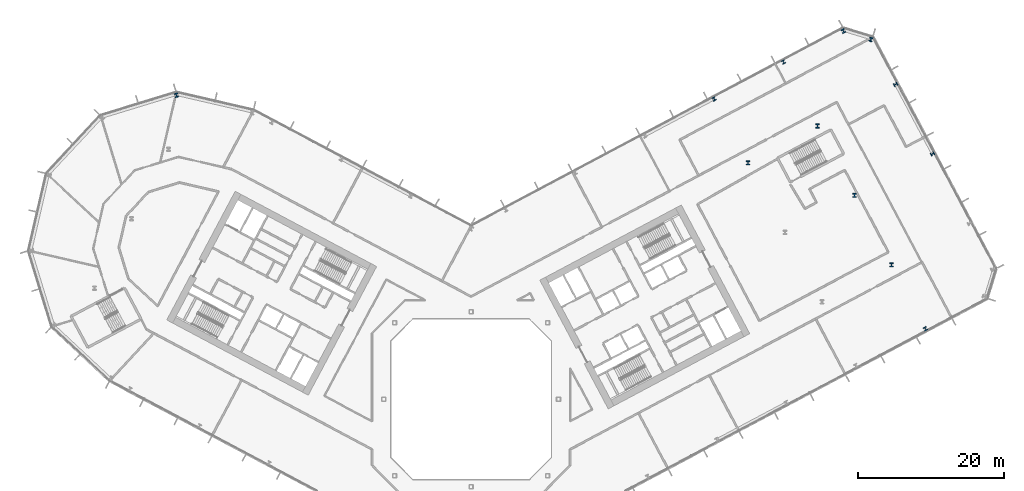
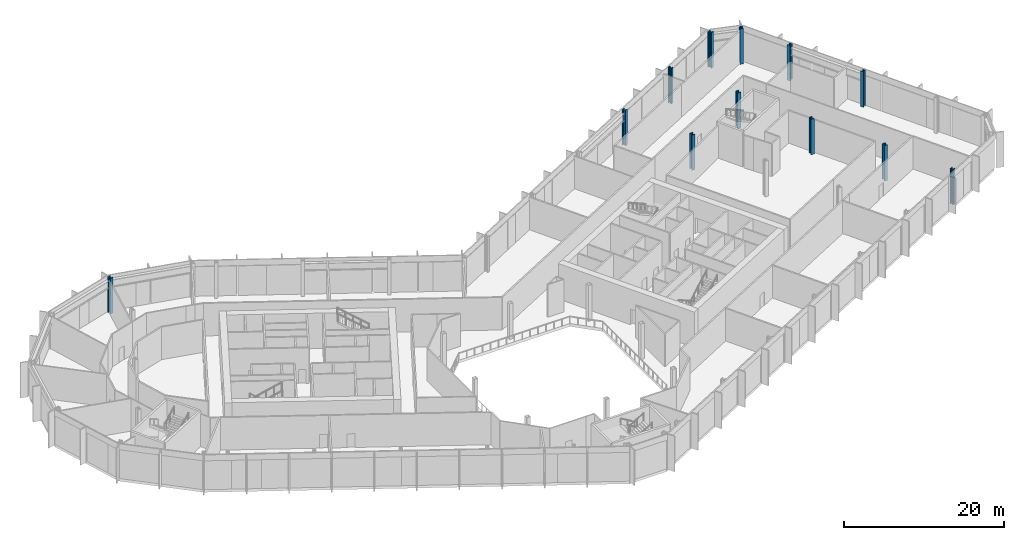
# One storey, part 4 of 30: 12 columns.
"""IFC4 building model written with IfcOpenShell, lengths in metres."""

import ifcopenshell
import ifcopenshell.guid

model = None  # the IFC model being written
_history = None  # IfcOwnerHistory: only IFC2X3 demands one
_inside = {}  # id of a spatial element -> (the spatial element, [elements in it])
_under = {}  # id of a project, library or spatial element -> (it, [spatial elements below it])
_declared = {}  # id of a project -> (the project, [libraries it declares])
_typed = {}  # id of a type object -> (the type object, [elements of that type])
_made_of = {}  # id of a material, layer set ... -> (it, [elements and type objects made of it])


def new_model(schema):
    """Start an empty IFC model of exactly this schema.

    Asked for "IFC4X3", IfcOpenShell would pick the latest addendum, in which some entities
    have other attributes; the version numbers below select the first issue.
    IFC2X3 requires an IfcOwnerHistory on every rooted entity: one is made here for all.
    """
    global model, _history
    if schema == "IFC4X3":
        model = ifcopenshell.file(schema_version=(4, 3, 0, 0))
    else:
        model = ifcopenshell.file(schema=schema)
    _inside.clear()
    _under.clear()
    _declared.clear()
    _typed.clear()
    _made_of.clear()
    _history = None
    if model.schema == "IFC2X3":
        org = make("IfcOrganization", Name="unknown")
        user = make(
            "IfcPersonAndOrganization",
            ThePerson=make("IfcPerson", FamilyName="unknown"),
            TheOrganization=org,
        )
        app = make(
            "IfcApplication",
            ApplicationDeveloper=org,
            Version="unknown",
            ApplicationFullName="unknown",
            ApplicationIdentifier="unknown",
        )
        _history = make(
            "IfcOwnerHistory",
            OwningUser=user,
            OwningApplication=app,
            ChangeAction="ADDED",
            CreationDate=0,
        )
    return model


def make(cls, **values):
    """One entity of the class cls with the attributes given. An attribute that is None is left unset."""
    return model.create_entity(
        cls, **{name: value for name, value in values.items() if value is not None}
    )


def rooted(cls, **values):
    """An entity with a GlobalId (a new one), such as an element, a storey or a relation."""
    return make(cls, GlobalId=ifcopenshell.guid.new(), OwnerHistory=_history, **values)


def si_unit(unit_type, name, prefix=None):
    """IfcSIUnit, for example si_unit("LENGTHUNIT", "METRE", prefix="MILLI")."""
    return make("IfcSIUnit", UnitType=unit_type, Prefix=prefix, Name=name)


def assignment(units):
    """IfcUnitAssignment: the units of a project."""
    return None if units is None else make("IfcUnitAssignment", Units=units)


def point(xyz):
    """IfcCartesianPoint."""
    return None if xyz is None else make("IfcCartesianPoint", Coordinates=xyz)


def direction(xyz):
    """IfcDirection."""
    return None if xyz is None else make("IfcDirection", DirectionRatios=xyz)


def frame(location, z_axis=None, x_axis=None):
    """IfcAxis2Placement3D, a coordinate frame: its origin and axes. An axis left out is left unset."""
    return make(
        "IfcAxis2Placement3D",
        Location=point(location),
        Axis=direction(z_axis),
        RefDirection=direction(x_axis),
    )


def frame_2d(location, x_axis=None):
    """IfcAxis2Placement2D, a coordinate frame in the plane: its origin and x axis."""
    return make(
        "IfcAxis2Placement2D", Location=point(location), RefDirection=direction(x_axis)
    )


def origin():
    """The frame at (0, 0, 0) with its axes left unset."""
    return frame((0.0, 0.0, 0.0))


def origin_2d():
    """The frame at (0, 0) in the plane with its x axis left unset."""
    return frame_2d((0.0, 0.0))


def place(relative_to, where):
    """IfcLocalPlacement: puts the frame where relative to a parent placement (None: the world)."""
    return make(
        "IfcLocalPlacement", PlacementRelTo=relative_to, RelativePlacement=where
    )


def context(
    kind, dimensions, precision=None, world=None, true_north=None, identifier=None
):
    """IfcGeometricRepresentationContext, for example the 3D "Model" context."""
    return make(
        "IfcGeometricRepresentationContext",
        ContextIdentifier=identifier,
        ContextType=kind,
        CoordinateSpaceDimension=dimensions,
        Precision=precision,
        WorldCoordinateSystem=world,
        TrueNorth=true_north,
    )


def subcontext(parent, identifier, kind, view, scale=None):
    """IfcGeometricRepresentationSubContext, for example "Body" below "Model"."""
    return make(
        "IfcGeometricRepresentationSubContext",
        ContextIdentifier=identifier,
        ContextType=kind,
        ParentContext=parent,
        TargetScale=scale,
        TargetView=view,
    )


def project(units=None, contexts=None):
    """IfcProject with its units and contexts."""
    return rooted(
        "IfcProject",
        Name="project",
        RepresentationContexts=contexts,
        UnitsInContext=assignment(units),
    )


def spatial(cls, under=None, at=None, **own):
    """A site, building, storey or space (cls), placed at a placement, below another one or the project."""
    s = rooted(cls, ObjectPlacement=at, **own)
    if under is not None:
        _under.setdefault(under.id(), (under, []))[1].append(s)
    return s


def profile(cls, at=None, kind="AREA", **sizes):
    """A parametric profile (cls). Its sizes go by their IFC names, for example OverallWidth=200.0."""
    return make(cls, ProfileType=kind, Position=at, **sizes)


def i_section(**sizes):
    """IfcIShapeProfileDef."""
    return profile("IfcIShapeProfileDef", **sizes)


def extrude(swept, where, along, depth):
    """IfcExtrudedAreaSolid: the profile swept, set in the frame where, extruded along a direction by depth."""
    return make(
        "IfcExtrudedAreaSolid",
        SweptArea=swept,
        Position=where,
        ExtrudedDirection=direction(along),
        Depth=depth,
    )


def shape(context_of_items, identifier, shape_type, items):
    """IfcShapeRepresentation: the items that make up one representation, for example the "Body"."""
    return make(
        "IfcShapeRepresentation",
        ContextOfItems=context_of_items,
        RepresentationIdentifier=identifier,
        RepresentationType=shape_type,
        Items=items,
    )


def material(Name=None, Category=None):
    """IfcMaterial."""
    return make("IfcMaterial", Name=Name, Category=Category)


def material_profile(
    of_material, cross_section, Name=None, Category=None, Priority=None
):
    """IfcMaterialProfile: a cross section and its material."""
    return make(
        "IfcMaterialProfile",
        Name=Name,
        Material=of_material,
        Profile=cross_section,
        Priority=Priority,
        Category=Category,
    )


def profile_set(profiles, Name=None, composite=None):
    """IfcMaterialProfileSet."""
    return make(
        "IfcMaterialProfileSet",
        Name=Name,
        MaterialProfiles=profiles,
        CompositeProfile=composite,
    )


def made_of(thing, what):
    """Note that an element or type object is made of a material, layer set ...; save() writes the relation."""
    if what is not None:
        _made_of.setdefault(what.id(), (what, []))[1].append(thing)
    return thing


def type_object(cls, material=None, **own):
    """A type object (cls), such as IfcWallType, which elements share."""
    return made_of(rooted(cls, **own), material)


def element(
    cls,
    number,
    at=None,
    inside=None,
    cuts=None,
    type_object=None,
    material=None,
    context=None,
    identifier="Body",
    shape_type=None,
    held_by="IfcProductDefinitionShape",
    body=None,
    shapes=None,
    **own,
):
    """One element of the class cls, such as IfcWall. Its Tag is "e" and its number.

    at: its placement. inside: the storey or other place that contains it. cuts: it is an
    opening in that element (IfcRelVoidsElement). A single representation is given by context,
    identifier, shape_type and body (its items); several are given by shapes. held_by: the class
    of the entity that holds the representations. save() writes the other relations.
    """
    e = rooted(cls, Tag="e%d" % number, ObjectPlacement=at, **own)
    if body is not None:
        shapes = [shape(context, identifier, shape_type, body)]
    if shapes is not None:
        e.Representation = make(held_by, Representations=shapes)
    if inside is not None:
        _inside.setdefault(inside.id(), (inside, []))[1].append(e)
    if cuts is not None:
        rooted(
            "IfcRelVoidsElement", RelatingBuildingElement=cuts, RelatedOpeningElement=e
        )
    if type_object is not None:
        _typed.setdefault(type_object.id(), (type_object, []))[1].append(e)
    return made_of(e, material)


def aggregate(whole, parts):
    """IfcRelAggregates: a whole, such as a stair, and the parts it consists of."""
    return rooted("IfcRelAggregates", RelatingObject=whole, RelatedObjects=parts)


def save(model, path):
    """Write the relations noted so far, then the file.

    IfcRelAggregates (storeys below a building ...), IfcRelContainedInSpatialStructure (elements
    in a storey), IfcRelDefinesByType, IfcRelAssociatesMaterial and IfcRelDeclares: one each for
    every whole, place, type object, material and project.
    """
    for whole, parts in _under.values():
        aggregate(whole, parts)
    for where, things in _inside.values():
        rooted(
            "IfcRelContainedInSpatialStructure",
            RelatedElements=things,
            RelatingStructure=where,
        )
    for kind, things in _typed.values():
        rooted("IfcRelDefinesByType", RelatedObjects=things, RelatingType=kind)
    for what, things in _made_of.values():
        rooted("IfcRelAssociatesMaterial", RelatedObjects=things, RelatingMaterial=what)
    for by, libraries in _declared.values():
        rooted("IfcRelDeclares", RelatingContext=by, RelatedDefinitions=libraries)
    model.write(path)


model = new_model("IFC4")

# Units and contexts
model_context = context("Model", 3, precision=1e-05, world=origin(), true_north=direction((0.0, 1.0)))
body_context = subcontext(model_context, "Body", "Model", "MODEL_VIEW")
ifc_project = project(units=[si_unit("LENGTHUNIT", "METRE"), si_unit("AREAUNIT", "SQUARE_METRE"), si_unit("VOLUMEUNIT", "CUBIC_METRE"), si_unit("PLANEANGLEUNIT", "RADIAN"), si_unit("MASSUNIT", "GRAM", prefix="KILO")], contexts=[model_context])

# Site, building, storey
site_placement = place(None, origin())
site = spatial("IfcSite", under=ifc_project, at=site_placement, CompositionType="ELEMENT")
building_placement = place(site_placement, origin())
building = spatial("IfcBuilding", under=site, at=building_placement, Name="Cormorant Relay Tower", CompositionType="ELEMENT")
storey_placement = place(building_placement, frame((0.0, 0.0, 44.60009765625)))
storey = spatial("IfcBuildingStorey", under=building, at=storey_placement, Name="L08", CompositionType="ELEMENT", Elevation=44.60009765625)

# Columns
ifc_material_1 = material(Name="Steel ASTM A992 (Fy 345 MPa)", Category="steel")
ifc_material_profile_1 = material_profile(ifc_material_1, i_section(OverallWidth=0.45458984375, OverallDepth=0.569091796875, WebThickness=0.077880859375, FlangeThickness=0.124755859375, FilletRadius=0.015380859375, at=origin_2d()), Name="W360x1086")
ifc_profile_set_1 = profile_set([ifc_material_profile_1], Name="Steel ASTM A992 (Fy 345 MPa)")
column_type_1 = type_object("IfcColumnType", Name="Column W360x1086", PredefinedType="COLUMN", material=ifc_profile_set_1)
for number, where, z_axis, x_axis, name in (
    (1, (57.694091796875, 18.445068359375, 0.0), (0.0, 0.0, 1.0), (1.0, 0.0, 0.0), "Column L08-029"),
    (2, (52.6240234375, 27.98095703125, 0.0), (0.0, 0.0, 1.0), (1.0, 0.0, 0.0), "Column L08-037"),
    (3, (38.01806640625, 32.446044921875, 0.0), (0.0, 0.0, 1.0), (1.0, 0.0, 0.0), "Column L08-040"),
    (4, (47.552978515625, 37.51611328125, 0.0), (0.0, 0.0, 1.0), (1.0, 0.0, 0.0), "Column L08-045"),
    (5, (-40.451904296875, 41.73388671875, 0.0), (0.0, 0.0, 1.0), (-0.956304755963, -0.292371704723, 0.0), "Column L08-050"),
    (6, (54.866943359375, 49.385986328125, 0.0), (0.0, 0.0, 1.0), (-0.956304755963, 0.292371704723, 0.0), "Column L08-053"),
    (7, (51.10302734375, 50.537109375, 0.0), (0.0, 0.0, 1.0), (-0.882947592859, -0.469471562786, 0.0), "Column L08-054"),
):
    element("IfcColumn", number, at=place(storey_placement, frame(where, z_axis=z_axis, x_axis=x_axis)), inside=storey, type_object=column_type_1, Name=name, PredefinedType="COLUMN", context=body_context, shape_type="SweptSolid", body=[
        extrude(i_section(OverallWidth=0.45458984375, OverallDepth=0.569091796875, WebThickness=0.077880859375, FlangeThickness=0.124755859375, FilletRadius=0.015380859375, at=origin_2d()), origin(), (0.0, 0.0, 1.0), 5.39990234375),
    ])
ifc_material_2 = material(Name="Steel ASTM A992 (Fy 345 MPa)", Category="steel")
ifc_material_profile_2 = material_profile(ifc_material_2, i_section(OverallWidth=0.43701171875, OverallDepth=0.51318359375, WebThickness=0.060546875, FlangeThickness=0.096923828125, FilletRadius=0.015380859375, at=origin_2d()), Name="W360x818")
ifc_profile_set_2 = profile_set([ifc_material_profile_2], Name="Steel ASTM A992 (Fy 345 MPa)")
column_type_2 = type_object("IfcColumnType", Name="Column W360x818", PredefinedType="COLUMN", material=ifc_profile_set_2)
for number, where, z_axis, x_axis, name in (
    (8, (62.361083984375, 9.66796875, 0.0), (0.0, 0.0, 1.0), (0.882947592859, 0.469471562786, 0.0), "Column L08-020"),
    (9, (63.343017578125, 33.679931640625, 0.0), (0.0, 0.0, 1.0), (-0.469471562786, 0.882947592859, 0.0), "Column L08-042"),
    (10, (33.35107421875, 41.222900390625, 0.0), (0.0, 0.0, 1.0), (-0.882947592859, -0.469471562786, 0.0), "Column L08-049"),
    (11, (58.27197265625, 43.216064453125, 0.0), (0.0, 0.0, 1.0), (-0.469471562786, 0.882947592859, 0.0), "Column L08-051"),
    (12, (42.886962890625, 46.29296875, 0.0), (0.0, 0.0, 1.0), (-0.882947592859, -0.469471562786, 0.0), "Column L08-052"),
):
    element("IfcColumn", number, at=place(storey_placement, frame(where, z_axis=z_axis, x_axis=x_axis)), inside=storey, type_object=column_type_2, Name=name, PredefinedType="COLUMN", context=body_context, shape_type="SweptSolid", body=[
        extrude(i_section(OverallWidth=0.43701171875, OverallDepth=0.51318359375, WebThickness=0.060546875, FlangeThickness=0.096923828125, FilletRadius=0.015380859375, at=origin_2d()), origin(), (0.0, 0.0, 1.0), 5.39990234375),
    ])

save(model, "model.ifc")
